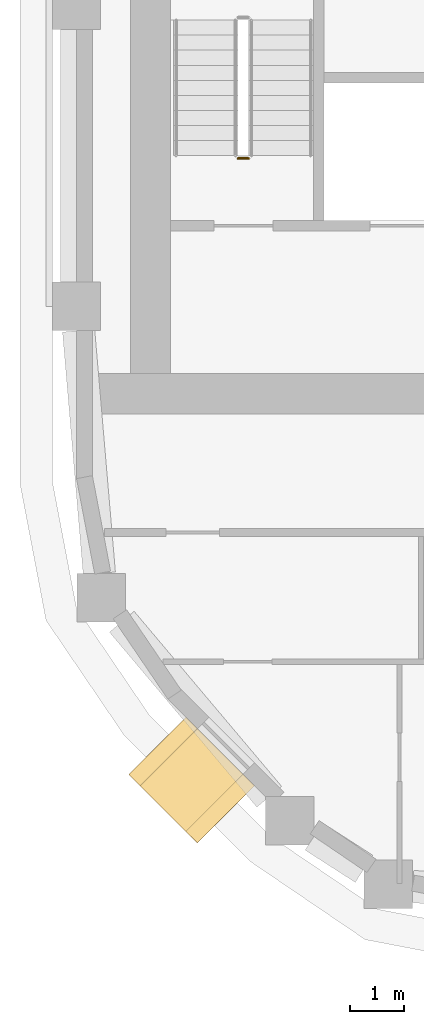
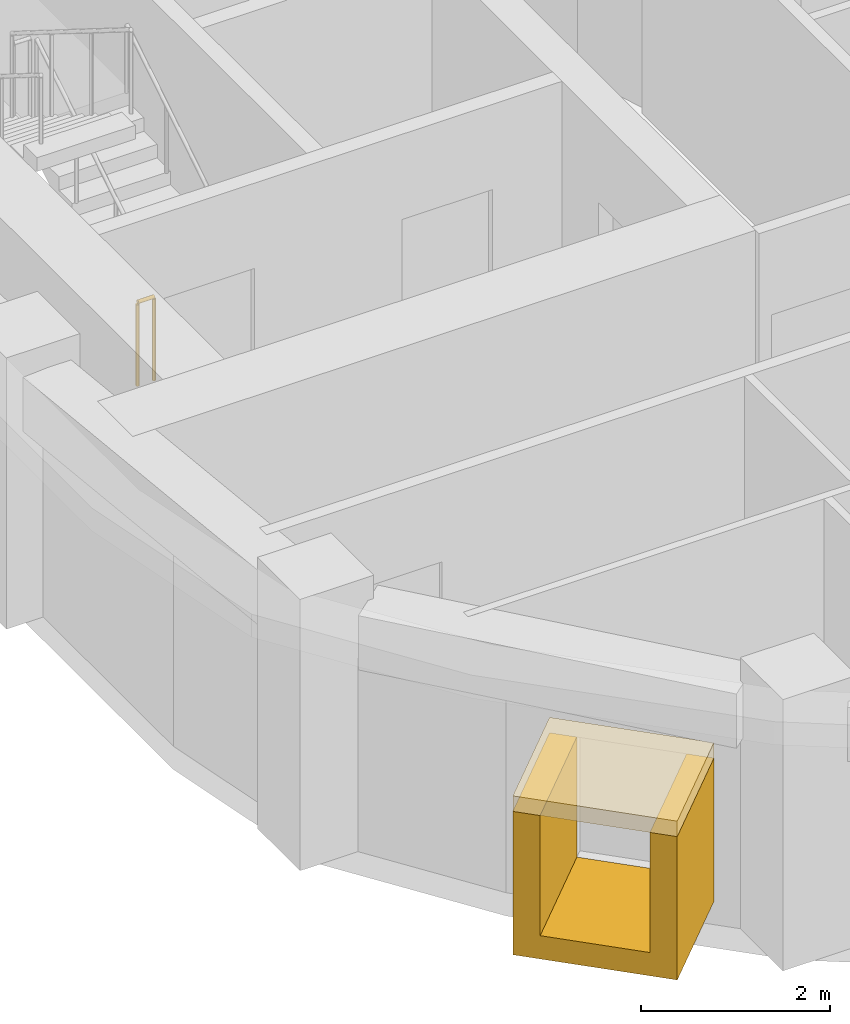
# One storey, part 10 of 21: 2 coverings, 1 railing.
"""IFC4 building model written with IfcOpenShell, lengths in metres."""

from ifc_helpers import new_model, si_unit, direction, frame, origin, origin_2d, place, context, subcontext, project, spatial, polyline, rectangle, circle, outline, extrude, material, layer, layer_set, type_object, element, save


model = new_model("IFC4")

# Units and contexts
model_context = context("Model", 3, precision=1e-05, world=origin(), true_north=direction((0.0, 1.0)))
body_context = subcontext(model_context, "Body", "Model", "MODEL_VIEW")
ifc_project = project(units=[si_unit("LENGTHUNIT", "METRE"), si_unit("AREAUNIT", "SQUARE_METRE"), si_unit("VOLUMEUNIT", "CUBIC_METRE"), si_unit("PLANEANGLEUNIT", "RADIAN"), si_unit("MASSUNIT", "GRAM", prefix="KILO")], contexts=[model_context])

# Site, building, storey
site_placement = place(None, origin())
site = spatial("IfcSite", under=ifc_project, at=site_placement, CompositionType="ELEMENT")
building_placement = place(site_placement, origin())
building = spatial("IfcBuilding", under=site, at=building_placement, Name="Kiln Ring Residences", CompositionType="ELEMENT")
storey_placement = place(building_placement, frame((0.0, 0.0, 195.89990234375)))
storey = spatial("IfcBuildingStorey", under=building, at=storey_placement, Name="L50", CompositionType="ELEMENT", Elevation=195.89990234375)

# Railing
ifc_material_1 = material(Name="Stainless steel", Category="steel")
railing_type = type_object("IfcRailingType", Name="CORE-STAIR-GUARD", PredefinedType="GUARDRAIL", material=ifc_material_1)
railing_placement = place(storey_placement, frame((-22.0, -8.449951171875, 0.0)))
element("IfcRailing", 1, at=railing_placement, inside=storey, type_object=railing_type, Name="L50 W-STS stair guard 4", PredefinedType="GUARDRAIL", context=body_context, shape_type="SweptSolid", body=[
    extrude(circle(Radius=0.02392578125, at=origin_2d()), frame((0.0, 0.0, 1.076171875), z_axis=(-1.0, 0.0, 0.0), x_axis=(0.0, -1.0, 0.0)), (0.0, 0.0, 1.0), 0.199951171875),
    extrude(circle(Radius=0.02099609375, at=origin_2d()), origin(), (0.0, 0.0, 1.0), 1.052001953125),
    extrude(circle(Radius=0.02099609375, at=origin_2d()), frame((-0.199951171875, 0.0, 0.0)), (0.0, 0.0, 1.0), 1.052001953125),
])

# Coverings
ifc_material_2 = material(Name="Brick masonry, dark clay brick", Category="masonry")
ifc_layer_1 = layer(ifc_material_2, 0.300048828125)
ifc_layer_set_1 = layer_set([ifc_layer_1], Name="FRAME CHEEKS AND SILL 1500")
covering_type_1 = type_object("IfcCoveringType", Name="FRAME CHEEKS AND SILL 1500", PredefinedType="CLADDING", material=ifc_layer_set_1)
covering_1_placement = place(storey_placement, frame((-23.697509765625, -19.36328125, 0.300048828125), z_axis=(0.0, 0.0, 1.0), x_axis=(0.707174592913, -0.707038962956, 0.0)))
element("IfcCovering", 2, at=covering_1_placement, inside=storey, type_object=covering_type_1, Name="FRAME L50", PredefinedType="CLADDING", context=body_context, shape_type="SweptSolid", body=[
    extrude(outline(polyline([(0.0, 0.0), (1.800048828125, 0.0), (1.800048828125, 1.85009765625), (1.5009765625, 1.85009765625), (1.5, 0.300048828125), (0.300048828125, 0.300048828125), (0.299072265625, 1.85009765625), (0.0, 1.85009765625), (0.0, 0.0)])), frame((0.0, 0.75, 0.0), z_axis=(0.0, -1.0, 0.0), x_axis=(1.0, 0.0, 0.0)), (0.0, 0.0, 1.0), 1.5),
])
ifc_material_3 = material(Name="Brick masonry, dark clay brick", Category="masonry")
ifc_layer_2 = layer(ifc_material_3, 0.199951171875)
ifc_layer_set_2 = layer_set([ifc_layer_2], Name="FRAME HEAD 1500")
covering_type_2 = type_object("IfcCoveringType", Name="FRAME HEAD 1500", PredefinedType="CLADDING", material=ifc_layer_set_2)
covering_2_placement = place(storey_placement, frame((-23.06103515625, -19.999755859375, 2.14990234375), z_axis=(0.0, 0.0, 1.0), x_axis=(0.707106781187, -0.707106781187, 0.0)))
element("IfcCovering", 3, at=covering_2_placement, inside=storey, type_object=covering_type_2, Name="FRAME HEAD L50", PredefinedType="CLADDING", context=body_context, shape_type="SweptSolid", body=[
    extrude(rectangle(XDim=1.800048828125, YDim=1.5, at=origin_2d()), origin(), (0.0, 0.0, 1.0), 0.199951171875),
])

save(model, "model.ifc")
